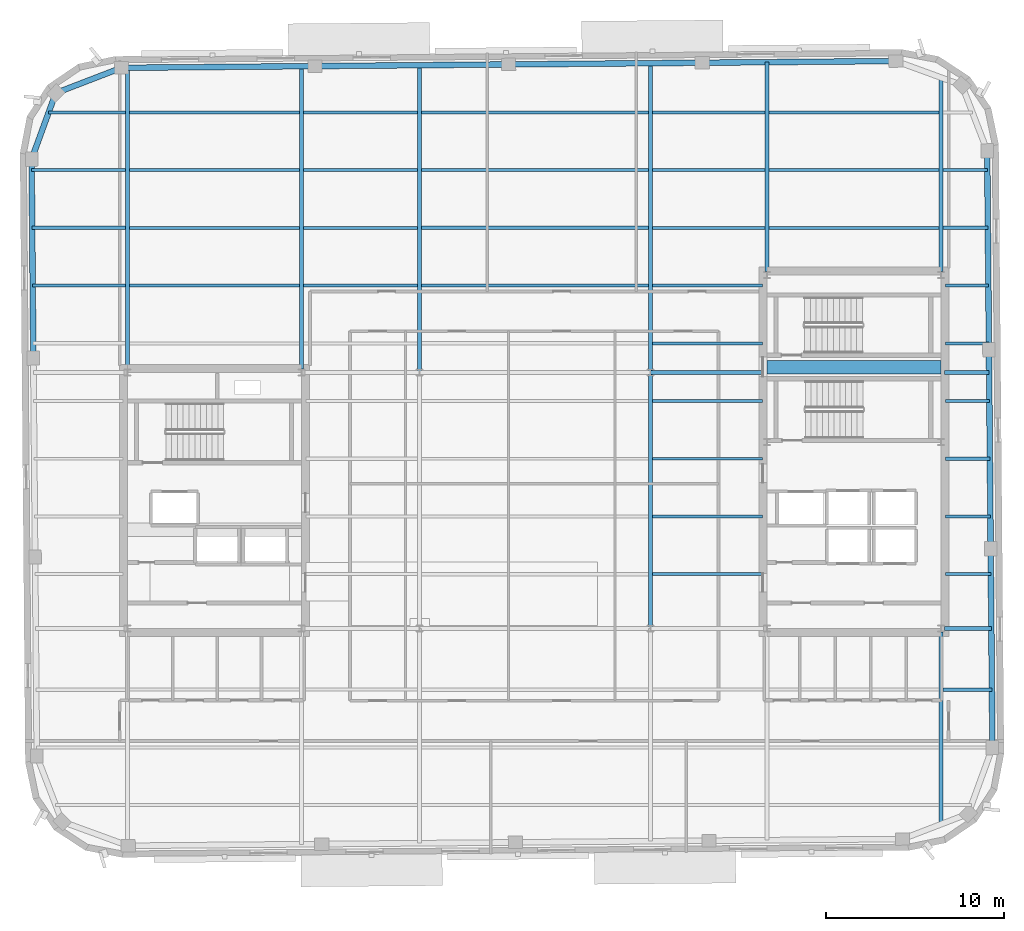
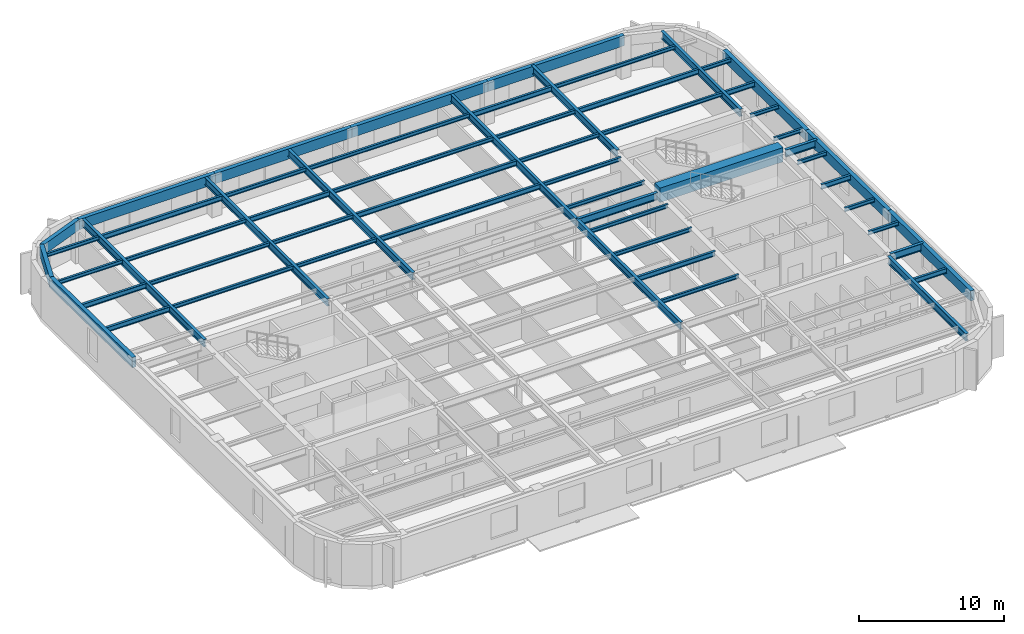
# One storey, part 5 of 15: 59 beams.
"""IFC4 building model written with IfcOpenShell, lengths in metres."""

from ifc_helpers import new_model, si_unit, direction, frame, origin, origin_2d, place, context, subcontext, project, spatial, rectangle, hollow_rectangle, i_section, extrude, material, material_profile, profile_set, type_object, element, save


model = new_model("IFC4")

# Units and contexts
model_context = context("Model", 3, precision=1e-05, world=origin(), true_north=direction((0.0, 1.0)))
body_context = subcontext(model_context, "Body", "Model", "MODEL_VIEW")
ifc_project = project(units=[si_unit("LENGTHUNIT", "METRE"), si_unit("AREAUNIT", "SQUARE_METRE"), si_unit("VOLUMEUNIT", "CUBIC_METRE"), si_unit("PLANEANGLEUNIT", "RADIAN"), si_unit("MASSUNIT", "GRAM", prefix="KILO")], contexts=[model_context])

# Site, building, storey
site_placement = place(None, origin())
site = spatial("IfcSite", under=ifc_project, at=site_placement, CompositionType="ELEMENT")
building_placement = place(site_placement, origin())
building = spatial("IfcBuilding", under=site, at=building_placement, Name="Kolvaren Arena Tower", CompositionType="ELEMENT")
storey_placement = place(building_placement, frame((0.0, 0.0, 304.89990234375)))
storey = spatial("IfcBuildingStorey", under=building, at=storey_placement, Name="L75", CompositionType="ELEMENT", Elevation=304.89990234375)

# Beams
ifc_material_1 = material(Name="Steel CSA G40.21 350W", Category="steel")
ifc_material_profile_1 = material_profile(ifc_material_1, i_section(OverallWidth=0.180908203125, OverallDepth=0.4169921875, WebThickness=0.010986328125, FlangeThickness=0.018310546875, FilletRadius=0.011962890625, at=origin_2d()), Name="W410x85")
ifc_profile_set_1 = profile_set([ifc_material_profile_1], Name="Steel CSA G40.21 350W")
beam_type_1 = type_object("IfcBeamType", Name="BEAM-F3", PredefinedType="BEAM", material=ifc_profile_set_1)
beam_1_placement = place(storey_placement, frame((60.464111328125, 16.0, 3.271484375), z_axis=(1.0, 0.0, 0.0), x_axis=(0.0, 1.0, 0.0)))
element("IfcBeam", 1, at=beam_1_placement, inside=storey, type_object=beam_type_1, Name="Composite Floor Beam (L75)", PredefinedType="BEAM", context=body_context, shape_type="SweptSolid", body=[
    extrude(i_section(OverallWidth=0.180908203125, OverallDepth=0.4169921875, WebThickness=0.010986328125, FlangeThickness=0.018310546875, FilletRadius=0.011962890625, at=origin_2d()), origin(), (0.0, 0.0, 1.0), 2.7529296875),
])
beam_2_placement = place(storey_placement, frame((44.114013671875, 25.75, 3.271484375), z_axis=(1.0, 0.0, 0.0), x_axis=(0.0, 1.0, 0.0)))
element("IfcBeam", 2, at=beam_2_placement, inside=storey, type_object=beam_type_1, Name="Composite Floor Beam (L75)", PredefinedType="BEAM", context=body_context, shape_type="SweptSolid", body=[
    extrude(i_section(OverallWidth=0.180908203125, OverallDepth=0.4169921875, WebThickness=0.010986328125, FlangeThickness=0.018310546875, FilletRadius=0.011962890625, at=origin_2d()), origin(), (0.0, 0.0, 1.0), 6.19091796875),
])
beam_3_placement = place(storey_placement, frame((60.594970703125, 29.0, 3.271484375), z_axis=(1.0, 0.0, 0.0), x_axis=(0.0, 1.0, 0.0)))
element("IfcBeam", 3, at=beam_3_placement, inside=storey, type_object=beam_type_1, Name="Composite Floor Beam (L75)", PredefinedType="BEAM", context=body_context, shape_type="SweptSolid", body=[
    extrude(i_section(OverallWidth=0.180908203125, OverallDepth=0.4169921875, WebThickness=0.010986328125, FlangeThickness=0.018310546875, FilletRadius=0.011962890625, at=origin_2d()), origin(), (0.0, 0.0, 1.0), 2.508544921875),
])
beam_4_placement = place(storey_placement, frame((9.216552734375, 38.75, 3.271484375), z_axis=(1.0, 0.0, 0.0), x_axis=(0.0, 1.0, 0.0)))
element("IfcBeam", 4, at=beam_4_placement, inside=storey, type_object=beam_type_1, Name="Composite Floor Beam (L75)", PredefinedType="BEAM", context=body_context, shape_type="SweptSolid", body=[
    extrude(i_section(OverallWidth=0.180908203125, OverallDepth=0.4169921875, WebThickness=0.010986328125, FlangeThickness=0.018310546875, FilletRadius=0.011962890625, at=origin_2d()), origin(), (0.0, 0.0, 1.0), 5.219482421875),
])
beam_5_placement = place(storey_placement, frame((31.114013671875, 38.75, 3.271484375), z_axis=(1.0, 0.0, 0.0), x_axis=(0.0, 1.0, 0.0)))
element("IfcBeam", 5, at=beam_5_placement, inside=storey, type_object=beam_type_1, Name="Composite Floor Beam (L75)", PredefinedType="BEAM", context=body_context, shape_type="SweptSolid", body=[
    extrude(i_section(OverallWidth=0.180908203125, OverallDepth=0.4169921875, WebThickness=0.010986328125, FlangeThickness=0.018310546875, FilletRadius=0.011962890625, at=origin_2d()), origin(), (0.0, 0.0, 1.0), 12.77197265625),
])
beam_6_placement = place(storey_placement, frame((9.18798828125, 42.0, 3.271484375), z_axis=(1.0, 0.0, 0.0), x_axis=(0.0, 1.0, 0.0)))
element("IfcBeam", 6, at=beam_6_placement, inside=storey, type_object=beam_type_1, Name="Composite Floor Beam (L75)", PredefinedType="BEAM", context=body_context, shape_type="SweptSolid", body=[
    extrude(i_section(OverallWidth=0.180908203125, OverallDepth=0.4169921875, WebThickness=0.010986328125, FlangeThickness=0.018310546875, FilletRadius=0.011962890625, at=origin_2d()), origin(), (0.0, 0.0, 1.0), 5.248046875),
])
beam_7_placement = place(storey_placement, frame((31.114013671875, 42.0, 3.271484375), z_axis=(1.0, 0.0, 0.0), x_axis=(0.0, 1.0, 0.0)))
element("IfcBeam", 7, at=beam_7_placement, inside=storey, type_object=beam_type_1, Name="Composite Floor Beam (L75)", PredefinedType="BEAM", context=body_context, shape_type="SweptSolid", body=[
    extrude(i_section(OverallWidth=0.180908203125, OverallDepth=0.4169921875, WebThickness=0.010986328125, FlangeThickness=0.018310546875, FilletRadius=0.011962890625, at=origin_2d()), origin(), (0.0, 0.0, 1.0), 12.77197265625),
])
beam_8_placement = place(storey_placement, frame((60.464111328125, 42.0, 3.271484375), z_axis=(1.0, 0.0, 0.0), x_axis=(0.0, 1.0, 0.0)))
element("IfcBeam", 8, at=beam_8_placement, inside=storey, type_object=beam_type_1, Name="Composite Floor Beam (L75)", PredefinedType="BEAM", context=body_context, shape_type="SweptSolid", body=[
    extrude(i_section(OverallWidth=0.180908203125, OverallDepth=0.4169921875, WebThickness=0.010986328125, FlangeThickness=0.018310546875, FilletRadius=0.011962890625, at=origin_2d()), origin(), (0.0, 0.0, 1.0), 2.526123046875),
])
beam_9_placement = place(storey_placement, frame((24.464111328125, 45.25, 3.271484375), z_axis=(1.0, 0.0, 0.0), x_axis=(0.0, 1.0, 0.0)))
element("IfcBeam", 9, at=beam_9_placement, inside=storey, type_object=beam_type_1, Name="Composite Floor Beam (L75)", PredefinedType="BEAM", context=body_context, shape_type="SweptSolid", body=[
    extrude(i_section(OverallWidth=0.180908203125, OverallDepth=0.4169921875, WebThickness=0.010986328125, FlangeThickness=0.018310546875, FilletRadius=0.011962890625, at=origin_2d()), origin(), (0.0, 0.0, 1.0), 6.421875),
])
for number, where, z_axis, x_axis, name in (
    (10, (50.6640625, 45.25, 3.271484375), (1.0, 0.0, 0.0), (0.0, 1.0, 0.0), "Composite Floor Beam (L75)"),
    (11, (14.6640625, 48.5, 3.271484375), (1.0, 0.0, 0.0), (0.0, 1.0, 0.0), "Composite Floor Beam (L75)"),
):
    element("IfcBeam", number, at=place(storey_placement, frame(where, z_axis=z_axis, x_axis=x_axis)), inside=storey, type_object=beam_type_1, Name=name, PredefinedType="BEAM", context=body_context, shape_type="SweptSolid", body=[
        extrude(i_section(OverallWidth=0.180908203125, OverallDepth=0.4169921875, WebThickness=0.010986328125, FlangeThickness=0.018310546875, FilletRadius=0.011962890625, at=origin_2d()), origin(), (0.0, 0.0, 1.0), 9.572021484375),
    ])
beam_10_placement = place(storey_placement, frame((44.114013671875, 48.5, 3.271484375), z_axis=(1.0, 0.0, 0.0), x_axis=(0.0, 1.0, 0.0)))
element("IfcBeam", 12, at=beam_10_placement, inside=storey, type_object=beam_type_1, Name="Composite Floor Beam (L75)", PredefinedType="BEAM", context=body_context, shape_type="SweptSolid", body=[
    extrude(i_section(OverallWidth=0.180908203125, OverallDepth=0.4169921875, WebThickness=0.010986328125, FlangeThickness=0.018310546875, FilletRadius=0.011962890625, at=origin_2d()), origin(), (0.0, 0.0, 1.0), 6.322021484375),
])
ifc_material_2 = material(Name="Concrete 60 MPa", Category="concrete")
ifc_material_profile_2 = material_profile(ifc_material_2, rectangle(XDim=0.75, YDim=1.199951171875, at=origin_2d()), Name="RC-750x1200")
ifc_profile_set_2 = profile_set([ifc_material_profile_2], Name="Concrete 60 MPa")
beam_type_2 = type_object("IfcBeamType", Name="CB-CORE-2", PredefinedType="BEAM", material=ifc_profile_set_2)
beam_11_placement = place(storey_placement, frame((50.550048828125, 34.14990234375, 3.150146484375), z_axis=(1.0, 0.0, 0.0), x_axis=(0.0, 1.0, 0.0)))
element("IfcBeam", 13, at=beam_11_placement, inside=storey, type_object=beam_type_2, Name="East Core Coupling Beam (L75)", PredefinedType="BEAM", context=body_context, shape_type="SweptSolid", body=[
    extrude(rectangle(XDim=0.75, YDim=1.199951171875, at=origin_2d()), origin(), (0.0, 0.0, 1.0), 9.800048828125),
])
ifc_material_profile_3 = material_profile(ifc_material_1, i_section(OverallWidth=0.22802734375, OverallDepth=0.615966796875, WebThickness=0.013916015625, FlangeThickness=0.02490234375, FilletRadius=0.014892578125, at=origin_2d()), Name="W610x174")
ifc_profile_set_3 = profile_set([ifc_material_profile_3], Name="Steel CSA G40.21 350W")
beam_type_3 = type_object("IfcBeamType", Name="GIRD-T3", PredefinedType="BEAM", material=ifc_profile_set_3)
beam_12_placement = place(storey_placement, frame((60.554931640625, 19.449951171875, 3.172119140625), z_axis=(1.0, 0.0, 0.0), x_axis=(0.0, 1.0, 0.0)))
element("IfcBeam", 14, at=beam_12_placement, inside=storey, type_object=beam_type_3, Name="Primary Floor Girder (L75)", PredefinedType="BEAM", context=body_context, shape_type="SweptSolid", body=[
    extrude(i_section(OverallWidth=0.22802734375, OverallDepth=0.615966796875, WebThickness=0.013916015625, FlangeThickness=0.02490234375, FilletRadius=0.014892578125, at=origin_2d()), origin(), (0.0, 0.0, 1.0), 2.632080078125),
])
beam_13_placement = place(storey_placement, frame((44.0, 33.85009765625, 3.172119140625), z_axis=(1.0, 0.0, 0.0), x_axis=(0.0, 1.0, 0.0)))
element("IfcBeam", 15, at=beam_13_placement, inside=storey, type_object=beam_type_3, Name="Primary Floor Girder (L75)", PredefinedType="BEAM", context=body_context, shape_type="SweptSolid", body=[
    extrude(i_section(OverallWidth=0.22802734375, OverallDepth=0.615966796875, WebThickness=0.013916015625, FlangeThickness=0.02490234375, FilletRadius=0.014892578125, at=origin_2d()), origin(), (0.0, 0.0, 1.0), 6.344970703125),
])
beam_14_placement = place(storey_placement, frame((60.554931640625, 33.85009765625, 3.172119140625), z_axis=(1.0, 0.0, 0.0), x_axis=(0.0, 1.0, 0.0)))
element("IfcBeam", 16, at=beam_14_placement, inside=storey, type_object=beam_type_3, Name="Primary Floor Girder (L75)", PredefinedType="BEAM", context=body_context, shape_type="SweptSolid", body=[
    extrude(i_section(OverallWidth=0.22802734375, OverallDepth=0.615966796875, WebThickness=0.013916015625, FlangeThickness=0.02490234375, FilletRadius=0.014892578125, at=origin_2d()), origin(), (0.0, 0.0, 1.0), 2.50634765625),
])
beam_15_placement = place(storey_placement, frame((14.550048828125, 34.054931640625, 3.172119140625), z_axis=(0.0, 1.0, 0.0), x_axis=(-1.0, 0.0, 0.0)))
element("IfcBeam", 17, at=beam_15_placement, inside=storey, type_object=beam_type_3, Name="Primary Floor Girder (L75)", PredefinedType="BEAM", context=body_context, shape_type="SweptSolid", body=[
    extrude(i_section(OverallWidth=0.22802734375, OverallDepth=0.615966796875, WebThickness=0.013916015625, FlangeThickness=0.02490234375, FilletRadius=0.014892578125, at=origin_2d()), origin(), (0.0, 0.0, 1.0), 16.95703125),
])
beam_16_placement = place(storey_placement, frame((24.35009765625, 34.054931640625, 3.172119140625), z_axis=(0.0, 1.0, 0.0), x_axis=(-1.0, 0.0, 0.0)))
element("IfcBeam", 18, at=beam_16_placement, inside=storey, type_object=beam_type_3, Name="Primary Floor Girder (L75)", PredefinedType="BEAM", context=body_context, shape_type="SweptSolid", body=[
    extrude(i_section(OverallWidth=0.22802734375, OverallDepth=0.615966796875, WebThickness=0.013916015625, FlangeThickness=0.02490234375, FilletRadius=0.014892578125, at=origin_2d()), origin(), (0.0, 0.0, 1.0), 17.04248046875),
])
beam_17_placement = place(storey_placement, frame((31.0, 33.85009765625, 3.172119140625), z_axis=(0.0, 1.0, 0.0), x_axis=(-1.0, 0.0, 0.0)))
element("IfcBeam", 19, at=beam_17_placement, inside=storey, type_object=beam_type_3, Name="Primary Floor Girder (L75)", PredefinedType="BEAM", context=body_context, shape_type="SweptSolid", body=[
    extrude(i_section(OverallWidth=0.22802734375, OverallDepth=0.615966796875, WebThickness=0.013916015625, FlangeThickness=0.02490234375, FilletRadius=0.014892578125, at=origin_2d()), origin(), (0.0, 0.0, 1.0), 17.305419921875),
])
beam_18_placement = place(storey_placement, frame((44.0, 19.449951171875, 3.172119140625), z_axis=(0.0, 1.0, 0.0), x_axis=(-1.0, 0.0, 0.0)))
element("IfcBeam", 20, at=beam_18_placement, inside=storey, type_object=beam_type_3, Name="Primary Floor Girder (L75)", PredefinedType="BEAM", context=body_context, shape_type="SweptSolid", body=[
    extrude(i_section(OverallWidth=0.22802734375, OverallDepth=0.615966796875, WebThickness=0.013916015625, FlangeThickness=0.02490234375, FilletRadius=0.014892578125, at=origin_2d()), origin(), (0.0, 0.0, 1.0), 14.400146484375),
])
beam_19_placement = place(storey_placement, frame((44.0, 33.85009765625, 3.172119140625), z_axis=(0.0, 1.0, 0.0), x_axis=(-1.0, 0.0, 0.0)))
element("IfcBeam", 21, at=beam_19_placement, inside=storey, type_object=beam_type_3, Name="Primary Floor Girder (L75)", PredefinedType="BEAM", context=body_context, shape_type="SweptSolid", body=[
    extrude(i_section(OverallWidth=0.22802734375, OverallDepth=0.615966796875, WebThickness=0.013916015625, FlangeThickness=0.02490234375, FilletRadius=0.014892578125, at=origin_2d()), origin(), (0.0, 0.0, 1.0), 17.418701171875),
])
beam_20_placement = place(storey_placement, frame((50.550048828125, 39.554931640625, 3.172119140625), z_axis=(0.0, 1.0, 0.0), x_axis=(-1.0, 0.0, 0.0)))
element("IfcBeam", 22, at=beam_20_placement, inside=storey, type_object=beam_type_3, Name="Primary Floor Girder (L75)", PredefinedType="BEAM", context=body_context, shape_type="SweptSolid", body=[
    extrude(i_section(OverallWidth=0.22802734375, OverallDepth=0.615966796875, WebThickness=0.013916015625, FlangeThickness=0.02490234375, FilletRadius=0.014892578125, at=origin_2d()), origin(), (0.0, 0.0, 1.0), 11.771240234375),
])
beam_21_placement = place(storey_placement, frame((60.35009765625, 8.4228515625, 3.172119140625), z_axis=(0.0, 1.0, 0.0), x_axis=(-1.0, 0.0, 0.0)))
element("IfcBeam", 23, at=beam_21_placement, inside=storey, type_object=beam_type_3, Name="Primary Floor Girder (L75)", PredefinedType="BEAM", context=body_context, shape_type="SweptSolid", body=[
    extrude(i_section(OverallWidth=0.22802734375, OverallDepth=0.615966796875, WebThickness=0.013916015625, FlangeThickness=0.02490234375, FilletRadius=0.014892578125, at=origin_2d()), origin(), (0.0, 0.0, 1.0), 10.822265625),
])
beam_22_placement = place(storey_placement, frame((60.35009765625, 39.554931640625, 3.172119140625), z_axis=(0.0, 1.0, 0.0), x_axis=(-1.0, 0.0, 0.0)))
element("IfcBeam", 24, at=beam_22_placement, inside=storey, type_object=beam_type_3, Name="Primary Floor Girder (L75)", PredefinedType="BEAM", context=body_context, shape_type="SweptSolid", body=[
    extrude(i_section(OverallWidth=0.22802734375, OverallDepth=0.615966796875, WebThickness=0.013916015625, FlangeThickness=0.02490234375, FilletRadius=0.014892578125, at=origin_2d()), origin(), (0.0, 0.0, 1.0), 10.90625),
])
ifc_material_profile_4 = material_profile(ifc_material_1, i_section(OverallWidth=0.1669921875, OverallDepth=0.31689453125, WebThickness=0.007568359375, FlangeThickness=0.01318359375, FilletRadius=0.010009765625, at=origin_2d()), Name="W310x52")
ifc_profile_set_4 = profile_set([ifc_material_profile_4], Name="Steel CSA G40.21 350W")
beam_type_4 = type_object("IfcBeamType", Name="JOIST-02", PredefinedType="JOIST", material=ifc_profile_set_4)
beam_23_placement = place(storey_placement, frame((44.114013671875, 22.5, 3.321533203125), z_axis=(1.0, 0.0, 0.0), x_axis=(0.0, 1.0, 0.0)))
element("IfcBeam", 25, at=beam_23_placement, inside=storey, type_object=beam_type_4, Name="Composite Floor Joist (L75)", PredefinedType="JOIST", context=body_context, shape_type="SweptSolid", body=[
    extrude(i_section(OverallWidth=0.1669921875, OverallDepth=0.31689453125, WebThickness=0.007568359375, FlangeThickness=0.01318359375, FilletRadius=0.010009765625, at=origin_2d()), origin(), (0.0, 0.0, 1.0), 6.19091796875),
])
beam_24_placement = place(storey_placement, frame((60.594970703125, 22.5, 3.321533203125), z_axis=(1.0, 0.0, 0.0), x_axis=(0.0, 1.0, 0.0)))
element("IfcBeam", 26, at=beam_24_placement, inside=storey, type_object=beam_type_4, Name="Composite Floor Joist (L75)", PredefinedType="JOIST", context=body_context, shape_type="SweptSolid", body=[
    extrude(i_section(OverallWidth=0.1669921875, OverallDepth=0.31689453125, WebThickness=0.007568359375, FlangeThickness=0.01318359375, FilletRadius=0.010009765625, at=origin_2d()), origin(), (0.0, 0.0, 1.0), 2.5654296875),
])
beam_25_placement = place(storey_placement, frame((60.594970703125, 25.75, 3.321533203125), z_axis=(1.0, 0.0, 0.0), x_axis=(0.0, 1.0, 0.0)))
element("IfcBeam", 27, at=beam_25_placement, inside=storey, type_object=beam_type_4, Name="Composite Floor Joist (L75)", PredefinedType="JOIST", context=body_context, shape_type="SweptSolid", body=[
    extrude(i_section(OverallWidth=0.1669921875, OverallDepth=0.31689453125, WebThickness=0.007568359375, FlangeThickness=0.01318359375, FilletRadius=0.010009765625, at=origin_2d()), origin(), (0.0, 0.0, 1.0), 2.537109375),
])
for number, where, z_axis, x_axis, name in (
    (28, (44.114013671875, 29.0, 3.321533203125), (1.0, 0.0, 0.0), (0.0, 1.0, 0.0), "Composite Floor Joist (L75)"),
    (29, (44.114013671875, 32.25, 3.321533203125), (1.0, 0.0, 0.0), (0.0, 1.0, 0.0), "Composite Floor Joist (L75)"),
):
    element("IfcBeam", number, at=place(storey_placement, frame(where, z_axis=z_axis, x_axis=x_axis)), inside=storey, type_object=beam_type_4, Name=name, PredefinedType="JOIST", context=body_context, shape_type="SweptSolid", body=[
        extrude(i_section(OverallWidth=0.1669921875, OverallDepth=0.31689453125, WebThickness=0.007568359375, FlangeThickness=0.01318359375, FilletRadius=0.010009765625, at=origin_2d()), origin(), (0.0, 0.0, 1.0), 6.19091796875),
    ])
beam_26_placement = place(storey_placement, frame((60.594970703125, 32.25, 3.321533203125), z_axis=(1.0, 0.0, 0.0), x_axis=(0.0, 1.0, 0.0)))
element("IfcBeam", 30, at=beam_26_placement, inside=storey, type_object=beam_type_4, Name="Composite Floor Joist (L75)", PredefinedType="JOIST", context=body_context, shape_type="SweptSolid", body=[
    extrude(i_section(OverallWidth=0.1669921875, OverallDepth=0.31689453125, WebThickness=0.007568359375, FlangeThickness=0.01318359375, FilletRadius=0.010009765625, at=origin_2d()), origin(), (0.0, 0.0, 1.0), 2.480224609375),
])
beam_27_placement = place(storey_placement, frame((44.114013671875, 35.5, 3.321533203125), z_axis=(1.0, 0.0, 0.0), x_axis=(0.0, 1.0, 0.0)))
element("IfcBeam", 31, at=beam_27_placement, inside=storey, type_object=beam_type_4, Name="Composite Floor Joist (L75)", PredefinedType="JOIST", context=body_context, shape_type="SweptSolid", body=[
    extrude(i_section(OverallWidth=0.1669921875, OverallDepth=0.31689453125, WebThickness=0.007568359375, FlangeThickness=0.01318359375, FilletRadius=0.010009765625, at=origin_2d()), origin(), (0.0, 0.0, 1.0), 6.19091796875),
])
beam_28_placement = place(storey_placement, frame((60.594970703125, 35.5, 3.321533203125), z_axis=(1.0, 0.0, 0.0), x_axis=(0.0, 1.0, 0.0)))
element("IfcBeam", 32, at=beam_28_placement, inside=storey, type_object=beam_type_4, Name="Composite Floor Joist (L75)", PredefinedType="JOIST", context=body_context, shape_type="SweptSolid", body=[
    extrude(i_section(OverallWidth=0.1669921875, OverallDepth=0.31689453125, WebThickness=0.007568359375, FlangeThickness=0.01318359375, FilletRadius=0.010009765625, at=origin_2d()), origin(), (0.0, 0.0, 1.0), 2.451904296875),
])
beam_29_placement = place(storey_placement, frame((14.6640625, 38.75, 3.321533203125), z_axis=(1.0, 0.0, 0.0), x_axis=(0.0, 1.0, 0.0)))
element("IfcBeam", 33, at=beam_29_placement, inside=storey, type_object=beam_type_4, Name="Composite Floor Joist (L75)", PredefinedType="JOIST", context=body_context, shape_type="SweptSolid", body=[
    extrude(i_section(OverallWidth=0.1669921875, OverallDepth=0.31689453125, WebThickness=0.007568359375, FlangeThickness=0.01318359375, FilletRadius=0.010009765625, at=origin_2d()), origin(), (0.0, 0.0, 1.0), 9.572021484375),
])
beam_30_placement = place(storey_placement, frame((24.464111328125, 38.75, 3.321533203125), z_axis=(1.0, 0.0, 0.0), x_axis=(0.0, 1.0, 0.0)))
element("IfcBeam", 34, at=beam_30_placement, inside=storey, type_object=beam_type_4, Name="Composite Floor Joist (L75)", PredefinedType="JOIST", context=body_context, shape_type="SweptSolid", body=[
    extrude(i_section(OverallWidth=0.1669921875, OverallDepth=0.31689453125, WebThickness=0.007568359375, FlangeThickness=0.01318359375, FilletRadius=0.010009765625, at=origin_2d()), origin(), (0.0, 0.0, 1.0), 6.421875),
])
beam_31_placement = place(storey_placement, frame((44.114013671875, 38.75, 3.321533203125), z_axis=(1.0, 0.0, 0.0), x_axis=(0.0, 1.0, 0.0)))
element("IfcBeam", 35, at=beam_31_placement, inside=storey, type_object=beam_type_4, Name="Composite Floor Joist (L75)", PredefinedType="JOIST", context=body_context, shape_type="SweptSolid", body=[
    extrude(i_section(OverallWidth=0.1669921875, OverallDepth=0.31689453125, WebThickness=0.007568359375, FlangeThickness=0.01318359375, FilletRadius=0.010009765625, at=origin_2d()), origin(), (0.0, 0.0, 1.0), 6.19091796875),
])
beam_32_placement = place(storey_placement, frame((60.594970703125, 38.75, 3.321533203125), z_axis=(1.0, 0.0, 0.0), x_axis=(0.0, 1.0, 0.0)))
element("IfcBeam", 36, at=beam_32_placement, inside=storey, type_object=beam_type_4, Name="Composite Floor Joist (L75)", PredefinedType="JOIST", context=body_context, shape_type="SweptSolid", body=[
    extrude(i_section(OverallWidth=0.1669921875, OverallDepth=0.31689453125, WebThickness=0.007568359375, FlangeThickness=0.01318359375, FilletRadius=0.010009765625, at=origin_2d()), origin(), (0.0, 0.0, 1.0), 2.423583984375),
])
beam_33_placement = place(storey_placement, frame((14.6640625, 42.0, 3.321533203125), z_axis=(1.0, 0.0, 0.0), x_axis=(0.0, 1.0, 0.0)))
element("IfcBeam", 37, at=beam_33_placement, inside=storey, type_object=beam_type_4, Name="Composite Floor Joist (L75)", PredefinedType="JOIST", context=body_context, shape_type="SweptSolid", body=[
    extrude(i_section(OverallWidth=0.1669921875, OverallDepth=0.31689453125, WebThickness=0.007568359375, FlangeThickness=0.01318359375, FilletRadius=0.010009765625, at=origin_2d()), origin(), (0.0, 0.0, 1.0), 9.572021484375),
])
beam_34_placement = place(storey_placement, frame((24.464111328125, 42.0, 3.321533203125), z_axis=(1.0, 0.0, 0.0), x_axis=(0.0, 1.0, 0.0)))
element("IfcBeam", 38, at=beam_34_placement, inside=storey, type_object=beam_type_4, Name="Composite Floor Joist (L75)", PredefinedType="JOIST", context=body_context, shape_type="SweptSolid", body=[
    extrude(i_section(OverallWidth=0.1669921875, OverallDepth=0.31689453125, WebThickness=0.007568359375, FlangeThickness=0.01318359375, FilletRadius=0.010009765625, at=origin_2d()), origin(), (0.0, 0.0, 1.0), 6.421875),
])
beam_35_placement = place(storey_placement, frame((44.114013671875, 42.0, 3.321533203125), z_axis=(1.0, 0.0, 0.0), x_axis=(0.0, 1.0, 0.0)))
element("IfcBeam", 39, at=beam_35_placement, inside=storey, type_object=beam_type_4, Name="Composite Floor Joist (L75)", PredefinedType="JOIST", context=body_context, shape_type="SweptSolid", body=[
    extrude(i_section(OverallWidth=0.1669921875, OverallDepth=0.31689453125, WebThickness=0.007568359375, FlangeThickness=0.01318359375, FilletRadius=0.010009765625, at=origin_2d()), origin(), (0.0, 0.0, 1.0), 6.322021484375),
])
beam_36_placement = place(storey_placement, frame((50.6640625, 42.0, 3.321533203125), z_axis=(1.0, 0.0, 0.0), x_axis=(0.0, 1.0, 0.0)))
element("IfcBeam", 40, at=beam_36_placement, inside=storey, type_object=beam_type_4, Name="Composite Floor Joist (L75)", PredefinedType="JOIST", context=body_context, shape_type="SweptSolid", body=[
    extrude(i_section(OverallWidth=0.1669921875, OverallDepth=0.31689453125, WebThickness=0.007568359375, FlangeThickness=0.01318359375, FilletRadius=0.010009765625, at=origin_2d()), origin(), (0.0, 0.0, 1.0), 9.572021484375),
])
beam_37_placement = place(storey_placement, frame((9.159912109375, 45.25, 3.321533203125), z_axis=(1.0, 0.0, 0.0), x_axis=(0.0, 1.0, 0.0)))
element("IfcBeam", 41, at=beam_37_placement, inside=storey, type_object=beam_type_4, Name="Composite Floor Joist (L75)", PredefinedType="JOIST", context=body_context, shape_type="SweptSolid", body=[
    extrude(i_section(OverallWidth=0.1669921875, OverallDepth=0.31689453125, WebThickness=0.007568359375, FlangeThickness=0.01318359375, FilletRadius=0.010009765625, at=origin_2d()), origin(), (0.0, 0.0, 1.0), 5.276123046875),
])
beam_38_placement = place(storey_placement, frame((14.6640625, 45.25, 3.321533203125), z_axis=(1.0, 0.0, 0.0), x_axis=(0.0, 1.0, 0.0)))
element("IfcBeam", 42, at=beam_38_placement, inside=storey, type_object=beam_type_4, Name="Composite Floor Joist (L75)", PredefinedType="JOIST", context=body_context, shape_type="SweptSolid", body=[
    extrude(i_section(OverallWidth=0.1669921875, OverallDepth=0.31689453125, WebThickness=0.007568359375, FlangeThickness=0.01318359375, FilletRadius=0.010009765625, at=origin_2d()), origin(), (0.0, 0.0, 1.0), 9.572021484375),
])
beam_39_placement = place(storey_placement, frame((31.114013671875, 45.25, 3.321533203125), z_axis=(1.0, 0.0, 0.0), x_axis=(0.0, 1.0, 0.0)))
element("IfcBeam", 43, at=beam_39_placement, inside=storey, type_object=beam_type_4, Name="Composite Floor Joist (L75)", PredefinedType="JOIST", context=body_context, shape_type="SweptSolid", body=[
    extrude(i_section(OverallWidth=0.1669921875, OverallDepth=0.31689453125, WebThickness=0.007568359375, FlangeThickness=0.01318359375, FilletRadius=0.010009765625, at=origin_2d()), origin(), (0.0, 0.0, 1.0), 12.77197265625),
])
beam_40_placement = place(storey_placement, frame((44.114013671875, 45.25, 3.321533203125), z_axis=(1.0, 0.0, 0.0), x_axis=(0.0, 1.0, 0.0)))
element("IfcBeam", 44, at=beam_40_placement, inside=storey, type_object=beam_type_4, Name="Composite Floor Joist (L75)", PredefinedType="JOIST", context=body_context, shape_type="SweptSolid", body=[
    extrude(i_section(OverallWidth=0.1669921875, OverallDepth=0.31689453125, WebThickness=0.007568359375, FlangeThickness=0.01318359375, FilletRadius=0.010009765625, at=origin_2d()), origin(), (0.0, 0.0, 1.0), 6.322021484375),
])
beam_41_placement = place(storey_placement, frame((60.464111328125, 45.25, 3.321533203125), z_axis=(1.0, 0.0, 0.0), x_axis=(0.0, 1.0, 0.0)))
element("IfcBeam", 45, at=beam_41_placement, inside=storey, type_object=beam_type_4, Name="Composite Floor Joist (L75)", PredefinedType="JOIST", context=body_context, shape_type="SweptSolid", body=[
    extrude(i_section(OverallWidth=0.1669921875, OverallDepth=0.31689453125, WebThickness=0.007568359375, FlangeThickness=0.01318359375, FilletRadius=0.010009765625, at=origin_2d()), origin(), (0.0, 0.0, 1.0), 2.497802734375),
])
beam_42_placement = place(storey_placement, frame((10.11669921875, 48.5, 3.321533203125), z_axis=(1.0, 0.0, 0.0), x_axis=(0.0, 1.0, 0.0)))
element("IfcBeam", 46, at=beam_42_placement, inside=storey, type_object=beam_type_4, Name="Composite Floor Joist (L75)", PredefinedType="JOIST", context=body_context, shape_type="SweptSolid", body=[
    extrude(i_section(OverallWidth=0.1669921875, OverallDepth=0.31689453125, WebThickness=0.007568359375, FlangeThickness=0.01318359375, FilletRadius=0.010009765625, at=origin_2d()), origin(), (0.0, 0.0, 1.0), 4.3193359375),
])
beam_43_placement = place(storey_placement, frame((24.464111328125, 48.5, 3.321533203125), z_axis=(1.0, 0.0, 0.0), x_axis=(0.0, 1.0, 0.0)))
element("IfcBeam", 47, at=beam_43_placement, inside=storey, type_object=beam_type_4, Name="Composite Floor Joist (L75)", PredefinedType="JOIST", context=body_context, shape_type="SweptSolid", body=[
    extrude(i_section(OverallWidth=0.1669921875, OverallDepth=0.31689453125, WebThickness=0.007568359375, FlangeThickness=0.01318359375, FilletRadius=0.010009765625, at=origin_2d()), origin(), (0.0, 0.0, 1.0), 6.421875),
])
beam_44_placement = place(storey_placement, frame((31.114013671875, 48.5, 3.321533203125), z_axis=(1.0, 0.0, 0.0), x_axis=(0.0, 1.0, 0.0)))
element("IfcBeam", 48, at=beam_44_placement, inside=storey, type_object=beam_type_4, Name="Composite Floor Joist (L75)", PredefinedType="JOIST", context=body_context, shape_type="SweptSolid", body=[
    extrude(i_section(OverallWidth=0.1669921875, OverallDepth=0.31689453125, WebThickness=0.007568359375, FlangeThickness=0.01318359375, FilletRadius=0.010009765625, at=origin_2d()), origin(), (0.0, 0.0, 1.0), 12.77197265625),
])
beam_45_placement = place(storey_placement, frame((50.6640625, 48.5, 3.321533203125), z_axis=(1.0, 0.0, 0.0), x_axis=(0.0, 1.0, 0.0)))
element("IfcBeam", 49, at=beam_45_placement, inside=storey, type_object=beam_type_4, Name="Composite Floor Joist (L75)", PredefinedType="JOIST", context=body_context, shape_type="SweptSolid", body=[
    extrude(i_section(OverallWidth=0.1669921875, OverallDepth=0.31689453125, WebThickness=0.007568359375, FlangeThickness=0.01318359375, FilletRadius=0.010009765625, at=origin_2d()), origin(), (0.0, 0.0, 1.0), 9.572021484375),
])
ifc_material_3 = material(Name="Steel CSA G40.21 350WT", Category="steel")
ifc_material_profile_5 = material_profile(ifc_material_3, hollow_rectangle(XDim=0.320068359375, YDim=0.860107421875, WallThickness=0.01806640625, at=origin_2d()), Name="HSS 860x320x18")
ifc_profile_set_5 = profile_set([ifc_material_profile_5], Name="Steel CSA G40.21 350WT")
beam_type_5 = type_object("IfcBeamType", Name="SPAND-02", PredefinedType="SPANDREL", material=ifc_profile_set_5)
beam_46_placement = place(storey_placement, frame((63.24560546875, 12.7353515625, 3.050048828125), z_axis=(-0.008741001013, 0.999961796721, 0.0), x_axis=(-0.999961796721, -0.008741001013, 0.0)))
element("IfcBeam", 50, at=beam_46_placement, inside=storey, type_object=beam_type_5, Name="Perimeter Spandrel Beam (L75)", PredefinedType="SPANDREL", context=body_context, shape_type="SweptSolid", body=[
    extrude(hollow_rectangle(XDim=0.320068359375, YDim=0.860107421875, WallThickness=0.01806640625, at=origin_2d()), origin(), (0.0, 0.0, 1.0), 11.2001953125),
])
for number, where, z_axis, x_axis, name in (
    (51, (63.147705078125, 23.93505859375, 3.050048828125), (-0.008719394723, 0.999961985355, 0.0), (-0.999961985355, -0.008719394723, 0.0), "Perimeter Spandrel Beam (L75)"),
    (52, (63.050048828125, 35.134521484375, 3.050048828125), (-0.008719394723, 0.999961985355, 0.0), (-0.999961985355, -0.008719394723, 0.0), "Perimeter Spandrel Beam (L75)"),
):
    element("IfcBeam", number, at=place(storey_placement, frame(where, z_axis=z_axis, x_axis=x_axis)), inside=storey, type_object=beam_type_5, Name=name, PredefinedType="SPANDREL", context=body_context, shape_type="SweptSolid", body=[
        extrude(hollow_rectangle(XDim=0.320068359375, YDim=0.860107421875, WallThickness=0.01806640625, at=origin_2d()), origin(), (0.0, 0.0, 1.0), 11.199951171875),
    ])
for number, where, z_axis, x_axis, name in (
    (53, (57.80810546875, 51.389404296875, 3.050048828125), (-0.999961846999, -0.008735247404, 0.0), (0.008735247404, -0.999961846999, 0.0), "Perimeter Spandrel Beam (L75)"),
    (54, (46.908447265625, 51.294189453125, 3.050048828125), (-0.999962042393, -0.008712851036, 0.0), (0.008712851036, -0.999962042393, 0.0), "Perimeter Spandrel Beam (L75)"),
):
    element("IfcBeam", number, at=place(storey_placement, frame(where, z_axis=z_axis, x_axis=x_axis)), inside=storey, type_object=beam_type_5, Name=name, PredefinedType="SPANDREL", context=body_context, shape_type="SweptSolid", body=[
        extrude(hollow_rectangle(XDim=0.320068359375, YDim=0.860107421875, WallThickness=0.01806640625, at=origin_2d()), origin(), (0.0, 0.0, 1.0), 10.900146484375),
    ])
beam_47_placement = place(storey_placement, frame((36.0087890625, 51.19921875, 3.050048828125), z_axis=(-0.999961845289, -0.008735443053, 0.0), x_axis=(0.008735443053, -0.999961845289, 0.0)))
element("IfcBeam", 55, at=beam_47_placement, inside=storey, type_object=beam_type_5, Name="Perimeter Spandrel Beam (L75)", PredefinedType="SPANDREL", context=body_context, shape_type="SweptSolid", body=[
    extrude(hollow_rectangle(XDim=0.320068359375, YDim=0.860107421875, WallThickness=0.01806640625, at=origin_2d()), origin(), (0.0, 0.0, 1.0), 10.89990234375),
])
beam_48_placement = place(storey_placement, frame((25.109375, 51.10400390625, 3.050048828125), z_axis=(-0.999961846999, -0.008735247404, 0.0), x_axis=(0.008735247404, -0.999961846999, 0.0)))
element("IfcBeam", 56, at=beam_48_placement, inside=storey, type_object=beam_type_5, Name="Perimeter Spandrel Beam (L75)", PredefinedType="SPANDREL", context=body_context, shape_type="SweptSolid", body=[
    extrude(hollow_rectangle(XDim=0.320068359375, YDim=0.860107421875, WallThickness=0.01806640625, at=origin_2d()), origin(), (0.0, 0.0, 1.0), 10.900146484375),
])
beam_49_placement = place(storey_placement, frame((14.209716796875, 51.0087890625, 3.050048828125), z_axis=(-0.933210515777, -0.359330117362, 0.0), x_axis=(0.359330117362, -0.933210515777, 0.0)))
element("IfcBeam", 57, at=beam_49_placement, inside=storey, type_object=beam_type_5, Name="Perimeter Spandrel Beam (L75)", PredefinedType="SPANDREL", context=body_context, shape_type="SweptSolid", body=[
    extrude(hollow_rectangle(XDim=0.320068359375, YDim=0.860107421875, WallThickness=0.01806640625, at=origin_2d()), origin(), (0.0, 0.0, 1.0), 3.961181640625),
])
beam_50_placement = place(storey_placement, frame((10.51318359375, 49.58544921875, 3.050048828125), z_axis=(-0.343039242335, -0.939321073019, 0.0), x_axis=(0.939321073019, -0.343039242335, 0.0)))
element("IfcBeam", 58, at=beam_50_placement, inside=storey, type_object=beam_type_5, Name="Perimeter Spandrel Beam (L75)", PredefinedType="SPANDREL", context=body_context, shape_type="SweptSolid", body=[
    extrude(hollow_rectangle(XDim=0.320068359375, YDim=0.860107421875, WallThickness=0.01806640625, at=origin_2d()), origin(), (0.0, 0.0, 1.0), 3.96142578125),
])
beam_51_placement = place(storey_placement, frame((9.154296875, 45.864501953125, 3.050048828125), z_axis=(0.008741191547, -0.999961795055, 0.0), x_axis=(0.999961795055, 0.008741191547, 0.0)))
element("IfcBeam", 59, at=beam_51_placement, inside=storey, type_object=beam_type_5, Name="Perimeter Spandrel Beam (L75)", PredefinedType="SPANDREL", context=body_context, shape_type="SweptSolid", body=[
    extrude(hollow_rectangle(XDim=0.320068359375, YDim=0.860107421875, WallThickness=0.01806640625, at=origin_2d()), origin(), (0.0, 0.0, 1.0), 11.199951171875),
])

save(model, "model.ifc")
